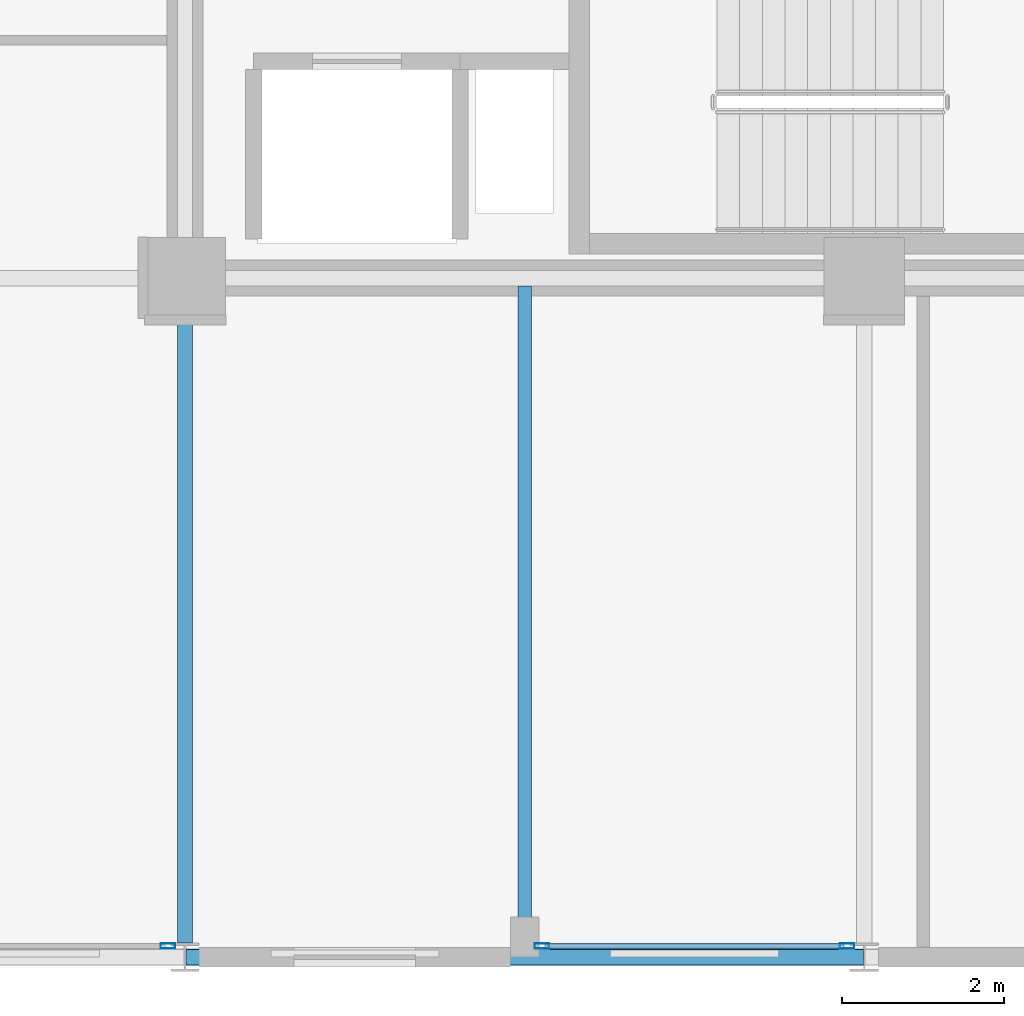
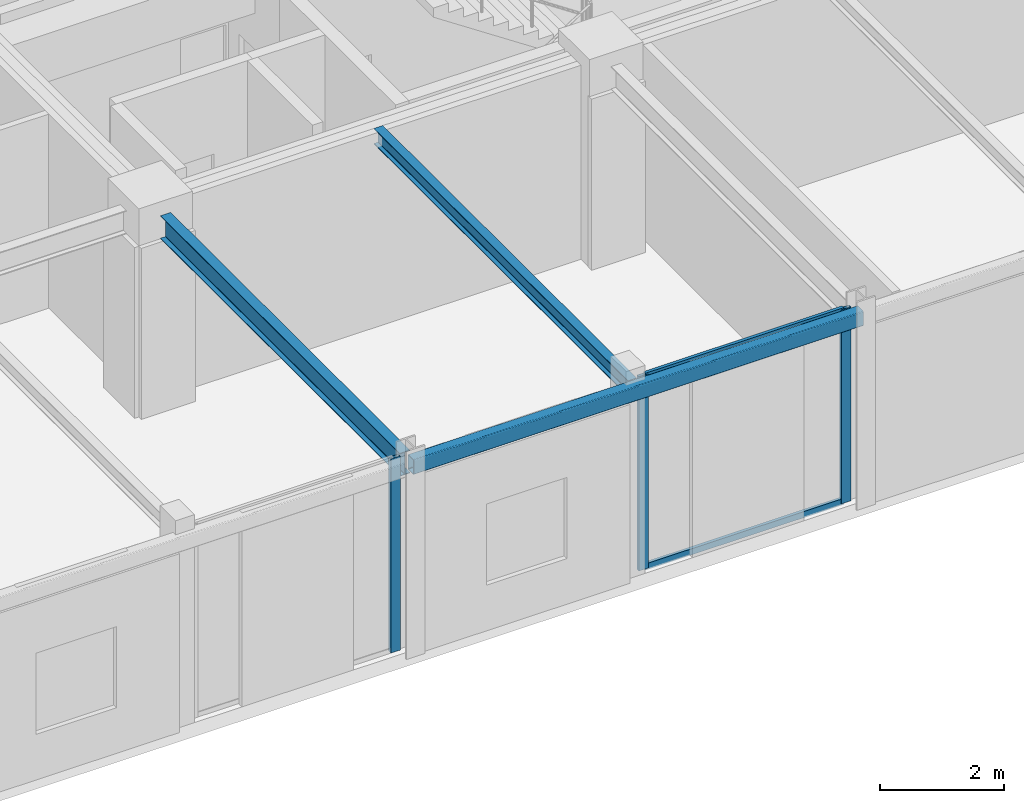
# One storey, part 6 of 25: 5 members, 3 beams, 2 elements without a shape of their own.
"""IFC4 building model written with IfcOpenShell, lengths in metres."""

from ifc_helpers import new_model, si_unit, direction, frame, origin, origin_2d, place, context, subcontext, project, spatial, hollow_rectangle, i_section, extrude, material, layer, layer_set, material_profile, profile_set, type_object, element, aggregate, save


model = new_model("IFC4")

# Units and contexts
model_context = context("Model", 3, precision=1e-05, world=origin(), true_north=direction((0.0, 1.0)))
body_context = subcontext(model_context, "Body", "Model", "MODEL_VIEW")
ifc_project = project(units=[si_unit("LENGTHUNIT", "METRE"), si_unit("AREAUNIT", "SQUARE_METRE"), si_unit("VOLUMEUNIT", "CUBIC_METRE"), si_unit("PLANEANGLEUNIT", "RADIAN"), si_unit("MASSUNIT", "GRAM", prefix="KILO")], contexts=[model_context])

# Site, building, storey
site_placement = place(None, origin())
site = spatial("IfcSite", under=ifc_project, at=site_placement, CompositionType="ELEMENT")
building_placement = place(site_placement, origin())
building = spatial("IfcBuilding", under=site, at=building_placement, Name="Nerrivon Quay Data Exchange", CompositionType="ELEMENT")
storey_placement = place(building_placement, frame((0.0, 0.0, 237.0)))
storey = spatial("IfcBuildingStorey", under=building, at=storey_placement, Name="L56", CompositionType="ELEMENT", Elevation=237.0)

# Beams
ifc_material_1 = material(Name="Steel Grade 350", Category="steel")
ifc_material_profile_1 = material_profile(ifc_material_1, i_section(OverallWidth=0.18994140625, OverallDepth=0.4541015625, WebThickness=0.008544921875, FlangeThickness=0.0126953125, FilletRadius=0.011474609375, at=origin_2d()), Name="460UB67.1")
ifc_profile_set_1 = profile_set([ifc_material_profile_1], Name="Steel Grade 350")
beam_type_1 = type_object("IfcBeamType", Name="BM-G6-460UB67", PredefinedType="BEAM", material=ifc_profile_set_1)
beam_1_placement = place(storey_placement, frame((16.800048828125, 0.175048828125, 3.597900390625), z_axis=(0.0, 1.0, 0.0), x_axis=(-1.0, 0.0, 0.0)))
element("IfcBeam", 1, at=beam_1_placement, inside=storey, type_object=beam_type_1, Name="L56 NS Girder X=16.8 (0.0..8.4)", PredefinedType="BEAM", context=body_context, shape_type="SweptSolid", body=[
    extrude(i_section(OverallWidth=0.18994140625, OverallDepth=0.4541015625, WebThickness=0.008544921875, FlangeThickness=0.0126953125, FilletRadius=0.011474609375, at=origin_2d()), origin(), (0.0, 0.0, 1.0), 7.724853515625),
])
ifc_material_profile_2 = material_profile(ifc_material_1, i_section(OverallWidth=0.166015625, OverallDepth=0.306884765625, WebThickness=0.006591796875, FlangeThickness=0.01171875, FilletRadius=0.011474609375, at=origin_2d()), Name="310UB46.2")
ifc_profile_set_2 = profile_set([ifc_material_profile_2], Name="Steel Grade 350")
beam_type_2 = type_object("IfcBeamType", Name="BM-J5-310UB46", PredefinedType="JOIST", material=ifc_profile_set_2)
beam_2_placement = place(storey_placement, frame((21.0, 0.10009765625, 3.67138671875), z_axis=(0.0, 1.0, 0.0), x_axis=(-1.0, 0.0, 0.0)))
element("IfcBeam", 2, at=beam_2_placement, inside=storey, type_object=beam_type_2, Name="L56 Secondary Joist X=21.0 (0.0..8.4)", PredefinedType="JOIST", context=body_context, shape_type="SweptSolid", body=[
    extrude(i_section(OverallWidth=0.166015625, OverallDepth=0.306884765625, WebThickness=0.006591796875, FlangeThickness=0.01171875, FilletRadius=0.011474609375, at=origin_2d()), origin(), (0.0, 0.0, 1.0), 8.204345703125),
])
ifc_material_2 = material(Name="Steel Grade C350L0 (350 MPa)", Category="steel")
ifc_material_profile_3 = material_profile(ifc_material_2, hollow_rectangle(XDim=0.199951171875, YDim=0.300048828125, WallThickness=0.012451171875, InnerFilletRadius=0.018798828125, OuterFilletRadius=0.03125, at=origin_2d()), Name="300x200x12.5RHS")
ifc_profile_set_3 = profile_set([ifc_material_profile_3], Name="Steel Grade C350L0 (350 MPa)")
beam_type_3 = type_object("IfcBeamType", Name="BM-SP3-300x200RHS", PredefinedType="SPANDREL", material=ifc_profile_set_3)
beam_3_placement = place(storey_placement, frame((16.81005859375, 0.0, 3.675048828125), z_axis=(1.0, 0.0, 0.0), x_axis=(0.0, 1.0, 0.0)))
element("IfcBeam", 3, at=beam_3_placement, inside=storey, type_object=beam_type_3, Name="L56 EW Girder Y=0.0 (16.8..25.2)", PredefinedType="SPANDREL", context=body_context, shape_type="SweptSolid", body=[
    extrude(hollow_rectangle(XDim=0.199951171875, YDim=0.300048828125, WallThickness=0.012451171875, InnerFilletRadius=0.018798828125, OuterFilletRadius=0.03125, at=origin_2d()), origin(), (0.0, 0.0, 1.0), 8.3798828125),
])

# Curtain wall, members
ifc_material_3 = material(Name="Anodised aluminium 6063-T6", Category="aluminium")
ifc_layer = layer(ifc_material_3, 0.195068359375)
ifc_layer_set = layer_set([ifc_layer], Name="Anodised aluminium 6063-T6")
curtain_wall_type = type_object("IfcCurtainWallType", Name="CW-SYS-06", PredefinedType="NOTDEFINED", material=ifc_layer_set)
curtain_wall_1_placement = place(storey_placement, origin())
curtain_wall_1 = element("IfcCurtainWall", 4, at=curtain_wall_1_placement, inside=storey, type_object=curtain_wall_type, Name="L56 Unitised Curtain Wall 4", PredefinedType="NOTDEFINED")
ifc_material_profile_4 = material_profile(ifc_material_3, hollow_rectangle(XDim=0.06494140625, YDim=0.179931640625, WallThickness=0.00341796875, at=origin_2d()), Name="ALU-MULL-180x65")
ifc_profile_set_4 = profile_set([ifc_material_profile_4], Name="Anodised aluminium 6063-T6")
member_type_1 = type_object("IfcMemberType", Name="CWM-180x65", PredefinedType="MULLION", material=ifc_profile_set_4)
member_1_placement = place(storey_placement, frame((24.987548828125, 0.139892578125, 0.0), z_axis=(0.0, 0.0, 1.0), x_axis=(0.0, -1.0, 0.0)))
member_1 = element("IfcMember", 5, at=member_1_placement, type_object=member_type_1, Name="CW06 mullion 1", PredefinedType="MULLION", context=body_context, shape_type="SweptSolid", body=[
    extrude(hollow_rectangle(XDim=0.06494140625, YDim=0.179931640625, WallThickness=0.00341796875, at=origin_2d()), origin(), (0.0, 0.0, 1.0), 3.824951171875),
])
member_2_placement = place(storey_placement, frame((21.21240234375, 0.139892578125, 0.0), z_axis=(0.0, 0.0, 1.0), x_axis=(0.0, -1.0, 0.0)))
member_2 = element("IfcMember", 6, at=member_2_placement, type_object=member_type_1, Name="CW06 mullion 2", PredefinedType="MULLION", context=body_context, shape_type="SweptSolid", body=[
    extrude(hollow_rectangle(XDim=0.06494140625, YDim=0.179931640625, WallThickness=0.00341796875, at=origin_2d()), origin(), (0.0, 0.0, 1.0), 3.824951171875),
])

# Curtain wall, member
curtain_wall_2_placement = place(storey_placement, origin())
curtain_wall_2 = element("IfcCurtainWall", 7, at=curtain_wall_2_placement, inside=storey, type_object=curtain_wall_type, Name="L56 Unitised Curtain Wall 6", PredefinedType="NOTDEFINED")
member_3_placement = place(storey_placement, frame((16.58740234375, 0.139892578125, 0.0), z_axis=(0.0, 0.0, 1.0), x_axis=(0.0, -1.0, 0.0)))
member_3 = element("IfcMember", 8, at=member_3_placement, type_object=member_type_1, Name="CW06 mullion 1", PredefinedType="MULLION", context=body_context, shape_type="SweptSolid", body=[
    extrude(hollow_rectangle(XDim=0.06494140625, YDim=0.179931640625, WallThickness=0.00341796875, at=origin_2d()), origin(), (0.0, 0.0, 1.0), 3.824951171875),
])
aggregate(curtain_wall_2, [member_3])

# Member
ifc_material_profile_5 = material_profile(ifc_material_3, hollow_rectangle(XDim=0.06005859375, YDim=0.1201171875, WallThickness=0.003173828125, at=origin_2d()), Name="ALU-TRAN-120x60")
ifc_profile_set_5 = profile_set([ifc_material_profile_5], Name="Anodised aluminium 6063-T6")
member_type_2 = type_object("IfcMemberType", Name="CWT-120x60", PredefinedType="USERDEFINED", material=ifc_profile_set_5)
member_4_placement = place(storey_placement, frame((24.949951171875, 0.139892578125, 0.032470703125), z_axis=(-1.0, 0.0, 0.0), x_axis=(0.0, -1.0, 0.0)))
member_4 = element("IfcMember", 9, at=member_4_placement, type_object=member_type_2, Name="CW06 transom 1.1", ObjectType="TRANSOM", PredefinedType="USERDEFINED", context=body_context, shape_type="SweptSolid", body=[
    extrude(hollow_rectangle(XDim=0.06005859375, YDim=0.1201171875, WallThickness=0.003173828125, at=origin_2d()), origin(), (0.0, 0.0, 1.0), 3.699951171875),
])

member_5_placement = place(storey_placement, frame((24.949951171875, 0.139892578125, 3.79248046875), z_axis=(-1.0, 0.0, 0.0), x_axis=(0.0, -1.0, 0.0)))
member_5 = element("IfcMember", 10, at=member_5_placement, type_object=member_type_2, Name="CW06 transom 1.2", ObjectType="TRANSOM", PredefinedType="USERDEFINED", context=body_context, shape_type="SweptSolid", body=[
    extrude(hollow_rectangle(XDim=0.06005859375, YDim=0.1201171875, WallThickness=0.003173828125, at=origin_2d()), origin(), (0.0, 0.0, 1.0), 3.699951171875),
])

aggregate(curtain_wall_1, [member_1, member_2, member_4, member_5])

save(model, "model.ifc")
